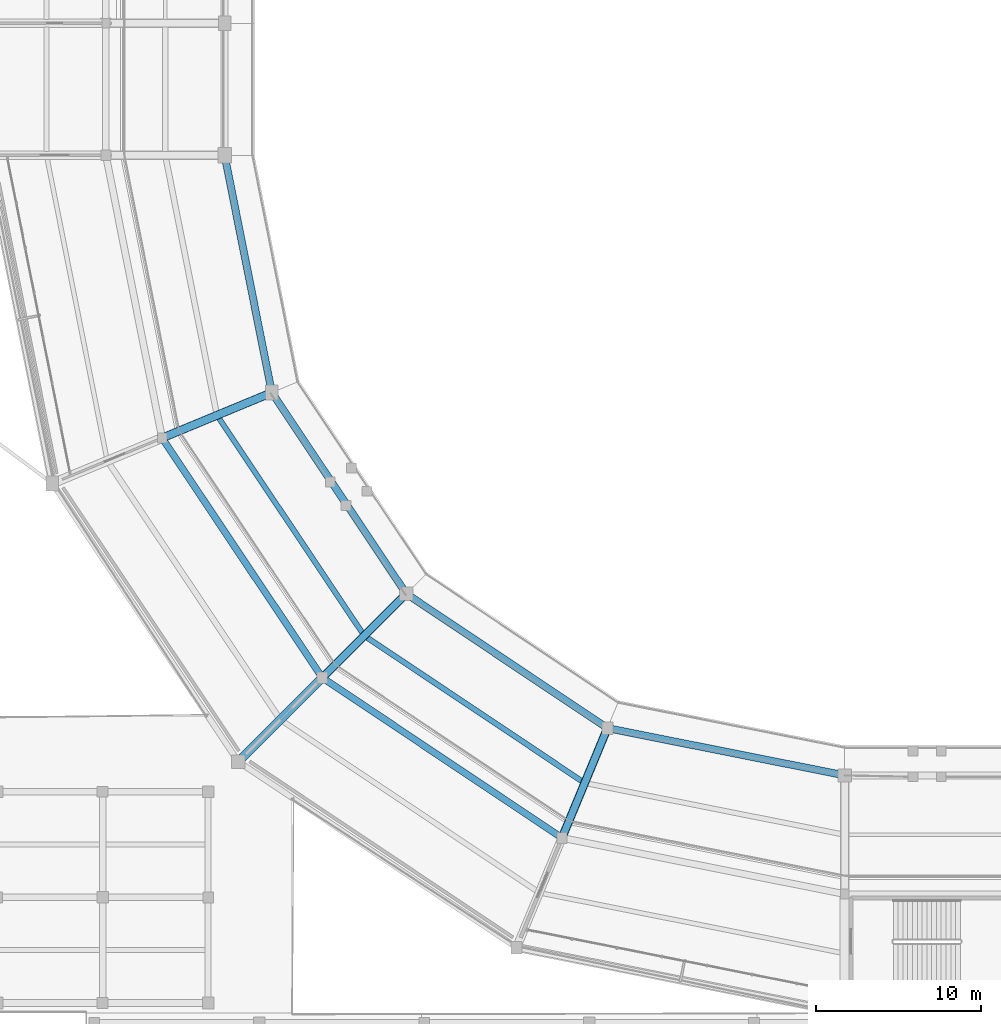
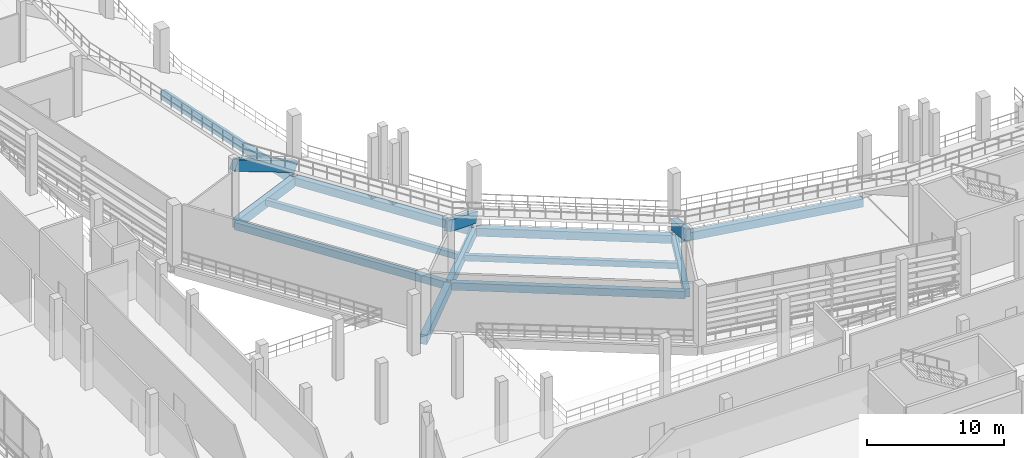
# One storey, part 20 of 127: 15 beams.
"""IFC4 building model written with IfcOpenShell, lengths in metres."""

from ifc_helpers import new_model, si_unit, direction, frame, origin, origin_2d, place, context, subcontext, project, spatial, rectangle, extrude, material, material_profile, profile_set, type_object, element, save


model = new_model("IFC4")

# Units and contexts
model_context = context("Model", 3, precision=1e-05, world=origin(), true_north=direction((0.0, 1.0)))
body_context = subcontext(model_context, "Body", "Model", "MODEL_VIEW")
ifc_project = project(units=[si_unit("LENGTHUNIT", "METRE"), si_unit("AREAUNIT", "SQUARE_METRE"), si_unit("VOLUMEUNIT", "CUBIC_METRE"), si_unit("PLANEANGLEUNIT", "RADIAN"), si_unit("MASSUNIT", "GRAM", prefix="KILO")], contexts=[model_context])

# Site, building, storey
site_placement = place(None, origin())
site = spatial("IfcSite", under=ifc_project, at=site_placement, CompositionType="ELEMENT")
building_placement = place(site_placement, origin())
building = spatial("IfcBuilding", under=site, at=building_placement, Name="Candeia Ridge Stadium", CompositionType="ELEMENT")
storey_placement = place(building_placement, frame((0.0, 0.0, 10.800048828125)))
storey = spatial("IfcBuildingStorey", under=building, at=storey_placement, Name="L02", CompositionType="ELEMENT", Elevation=10.800048828125)

# Beams
ifc_material_1 = material(Name="Concrete C45/55", Category="concrete")
ifc_material_profile_1 = material_profile(ifc_material_1, rectangle(XDim=0.449951171875, YDim=0.75, at=origin_2d()), Name="RC450x750", Category="concrete")
ifc_profile_set_1 = profile_set([ifc_material_profile_1], Name="Concrete C45/55")
beam_type_1 = type_object("IfcBeamType", Name="Bowl Radial Girder RC450x750", PredefinedType="BEAM", material=ifc_profile_set_1)
beam_1_placement = place(storey_placement, frame((56.5498046875, 36.1142578125, -0.635009765625), z_axis=(-0.382681914982, -0.923880161031, 0.0), x_axis=(0.923880161031, -0.382681914982, 0.0)))
element("IfcBeam", 1, at=beam_1_placement, inside=storey, type_object=beam_type_1, Name="Bowl radial girder BM-L02-0275", PredefinedType="BEAM", context=body_context, shape_type="SweptSolid", body=[
    extrude(rectangle(XDim=0.449951171875, YDim=0.75, at=origin_2d()), origin(), (0.0, 0.0, 1.0), 6.8798828125),
])
ifc_material_profile_2 = material_profile(ifc_material_1, rectangle(XDim=0.5, YDim=0.89990234375, at=origin_2d()), Name="RC500x900", Category="concrete")
ifc_profile_set_2 = profile_set([ifc_material_profile_2], Name="Concrete C45/55")
beam_type_2 = type_object("IfcBeamType", Name="Club Stand Raker Beam RC500x900", PredefinedType="USERDEFINED", material=ifc_profile_set_2)
for number, where, z_axis, x_axis, name in (
    (2, (36.26220703125, 56.611083984375, 0.624267578125), (-0.80308399346, -0.332646014247, 0.494371043502), (0.382681205745, -0.923880454805, 0.0), "Stand T2 inclined concrete raker beam 16"),
    (3, (44.412841796875, 44.412841796875, 0.624267578125), (-0.614653767795, -0.614653767795, 0.494369792233), (0.707106781187, -0.707106781187, 0.0), "Stand T2 inclined concrete raker beam 17"),
    (4, (56.611083984375, 36.26220703125, 0.624267578125), (-0.332646014247, -0.80308399346, 0.494371043502), (0.923880454805, -0.382681205745, 0.0), "Stand T2 inclined concrete raker beam 18"),
):
    element("IfcBeam", number, at=place(storey_placement, frame(where, z_axis=z_axis, x_axis=x_axis)), inside=storey, type_object=beam_type_2, Name=name, ObjectType="RAKER", PredefinedType="USERDEFINED", context=body_context, shape_type="SweptSolid", body=[
        extrude(rectangle(XDim=0.5, YDim=0.89990234375, at=origin_2d()), origin(), (0.0, 0.0, 1.0), 8.283203125),
    ])
ifc_material_2 = material(Name="Concrete C40/50", Category="concrete")
ifc_material_profile_3 = material_profile(ifc_material_2, rectangle(XDim=0.320068359375, YDim=0.52001953125, at=origin_2d()), Name="RC320x520", Category="concrete")
ifc_profile_set_3 = profile_set([ifc_material_profile_3], Name="Concrete C40/50")
beam_type_3 = type_object("IfcBeamType", Name="Floor Joist RC320x520", PredefinedType="JOIST", material=ifc_profile_set_3)
beam_2_placement = place(storey_placement, frame((33.0595703125, 55.048828125, -0.52001953125), z_axis=(0.555568527312, -0.831470752017, 0.0), x_axis=(0.831470752017, 0.555568527312, 0.0)))
element("IfcBeam", 5, at=beam_2_placement, inside=storey, type_object=beam_type_3, Name="Concourse secondary joist BM-L02-0386", PredefinedType="JOIST", context=body_context, shape_type="SweptSolid", body=[
    extrude(rectangle(XDim=0.320068359375, YDim=0.52001953125, at=origin_2d()), origin(), (0.0, 0.0, 1.0), 15.63134765625),
])
ifc_material_profile_4 = material_profile(ifc_material_2, rectangle(XDim=0.330078125, YDim=0.530029296875, at=origin_2d()), Name="RC330x530", Category="concrete")
ifc_profile_set_4 = profile_set([ifc_material_profile_4], Name="Concrete C40/50")
beam_type_4 = type_object("IfcBeamType", Name="Floor Joist RC330x530", PredefinedType="JOIST", material=ifc_profile_set_4)
beam_3_placement = place(storey_placement, frame((42.0517578125, 41.743896484375, -0.525146484375), z_axis=(0.831470752017, -0.555568527312, 0.0), x_axis=(0.555568527312, 0.831470752017, 0.0)))
element("IfcBeam", 6, at=beam_3_placement, inside=storey, type_object=beam_type_4, Name="Concourse secondary joist BM-L02-0391", PredefinedType="JOIST", context=body_context, shape_type="SweptSolid", body=[
    extrude(rectangle(XDim=0.330078125, YDim=0.530029296875, at=origin_2d()), origin(), (0.0, 0.0, 1.0), 15.63134765625),
])
ifc_material_profile_5 = material_profile(ifc_material_2, rectangle(XDim=0.409912109375, YDim=0.659912109375, at=origin_2d()), Name="RC410x660", Category="concrete")
ifc_profile_set_5 = profile_set([ifc_material_profile_5], Name="Concrete C40/50")
beam_type_5 = type_object("IfcBeamType", Name="Frame Girder RC410x660", PredefinedType="BEAM", material=ifc_profile_set_5)
for number, where, z_axis, x_axis, name in (
    (7, (29.698974609375, 53.72265625, -0.590087890625), (0.555573223542, -0.831467614091, 0.0), (0.831467614091, 0.555573223542, 0.0), "Concourse spine girder BM-L02-0384"),
    (8, (39.45458984375, 39.232666015625, -0.590087890625), (0.831467614091, -0.555573223542, 0.0), (0.555573223542, 0.831467614091, 0.0), "Concourse spine girder BM-L02-0389"),
):
    element("IfcBeam", number, at=place(storey_placement, frame(where, z_axis=z_axis, x_axis=x_axis)), inside=storey, type_object=beam_type_5, Name=name, PredefinedType="BEAM", context=body_context, shape_type="SweptSolid", body=[
        extrude(rectangle(XDim=0.409912109375, YDim=0.659912109375, at=origin_2d()), origin(), (0.0, 0.0, 1.0), 17.16015625),
    ])
ifc_material_profile_6 = material_profile(ifc_material_2, rectangle(XDim=0.43994140625, YDim=0.719970703125, at=origin_2d()), Name="RC440x720", Category="concrete")
ifc_profile_set_6 = profile_set([ifc_material_profile_6], Name="Concrete C40/50")
beam_type_6 = type_object("IfcBeamType", Name="Frame Girder RC440x720", PredefinedType="BEAM", material=ifc_profile_set_6)
for number, where, z_axis, x_axis, name in (
    (9, (33.43115234375, 70.843017578125, -0.6201171875), (0.195098555341, -0.980783642657, 0.0), (0.980783642657, 0.195098555341, 0.0), "Bowl inner ring girder BM-L02-0378"),
    (10, (36.35107421875, 56.47802734375, -0.6201171875), (0.55557537569, -0.831466176057, 0.0), (0.831466176057, 0.55557537569, 0.0), "Bowl inner ring girder BM-L02-0383"),
    (11, (44.5458984375, 44.323974609375, -0.6201171875), (0.831466176057, -0.55557537569, 0.0), (0.55557537569, 0.831466176057, 0.0), "Bowl inner ring girder BM-L02-0388"),
    (12, (56.76806640625, 36.23095703125, -0.6201171875), (0.980783642657, -0.195098555341, 0.0), (0.195098555341, 0.980783642657, 0.0), "Bowl inner ring girder BM-L02-0393"),
):
    element("IfcBeam", number, at=place(storey_placement, frame(where, z_axis=z_axis, x_axis=x_axis)), inside=storey, type_object=beam_type_6, Name=name, PredefinedType="BEAM", context=body_context, shape_type="SweptSolid", body=[
        extrude(rectangle(XDim=0.43994140625, YDim=0.719970703125, at=origin_2d()), origin(), (0.0, 0.0, 1.0), 14.350830078125),
    ])
ifc_material_profile_7 = material_profile(ifc_material_2, rectangle(XDim=0.4599609375, YDim=0.780029296875, at=origin_2d()), Name="RC460x780", Category="concrete")
ifc_profile_set_7 = profile_set([ifc_material_profile_7], Name="Concrete C40/50")
beam_type_7 = type_object("IfcBeamType", Name="Frame Girder RC460x780", PredefinedType="BEAM", material=ifc_profile_set_7)
beam_4_placement = place(storey_placement, frame((44.299560546875, 44.299560546875, -0.650146484375), z_axis=(-0.707106781187, -0.707106781187, 0.0), x_axis=(0.707106781187, -0.707106781187, 0.0)))
element("IfcBeam", 13, at=beam_4_placement, inside=storey, type_object=beam_type_7, Name="Bowl radial girder BM-L02-0273", PredefinedType="BEAM", context=body_context, shape_type="SweptSolid", body=[
    extrude(rectangle(XDim=0.4599609375, YDim=0.780029296875, at=origin_2d()), origin(), (0.0, 0.0, 1.0), 6.8798828125),
])
ifc_material_profile_8 = material_profile(ifc_material_1, rectangle(XDim=0.47998046875, YDim=0.820068359375, at=origin_2d()), Name="RC480x820", Category="concrete")
ifc_profile_set_8 = profile_set([ifc_material_profile_8], Name="Concrete C45/55")
beam_type_8 = type_object("IfcBeamType", Name="Frame Girder RC480x820", PredefinedType="BEAM", material=ifc_profile_set_8)
beam_5_placement = place(storey_placement, frame((36.1142578125, 56.5498046875, -0.670166015625), z_axis=(-0.923880161031, -0.382681914982, 0.0), x_axis=(0.382681914982, -0.923880161031, 0.0)))
element("IfcBeam", 14, at=beam_5_placement, inside=storey, type_object=beam_type_8, Name="Bowl radial girder BM-L02-0271", PredefinedType="BEAM", context=body_context, shape_type="SweptSolid", body=[
    extrude(rectangle(XDim=0.47998046875, YDim=0.820068359375, at=origin_2d()), origin(), (0.0, 0.0, 1.0), 6.8798828125),
])
ifc_material_profile_9 = material_profile(ifc_material_1, rectangle(XDim=0.52001953125, YDim=0.8798828125, at=origin_2d()), Name="RC520x880", Category="concrete")
ifc_profile_set_9 = profile_set([ifc_material_profile_9], Name="Concrete C45/55")
beam_type_9 = type_object("IfcBeamType", Name="Frame Girder RC520x880", PredefinedType="BEAM", material=ifc_profile_set_9)
beam_6_placement = place(storey_placement, frame((39.20849609375, 39.20849609375, -0.699951171875), z_axis=(-0.707106781187, -0.707106781187, 0.0), x_axis=(0.707106781187, -0.707106781187, 0.0)))
element("IfcBeam", 15, at=beam_6_placement, inside=storey, type_object=beam_type_9, Name="Bowl radial girder BM-L02-0274", PredefinedType="BEAM", context=body_context, shape_type="SweptSolid", body=[
    extrude(rectangle(XDim=0.52001953125, YDim=0.8798828125, at=origin_2d()), origin(), (0.0, 0.0, 1.0), 6.880126953125),
])

save(model, "model.ifc")
